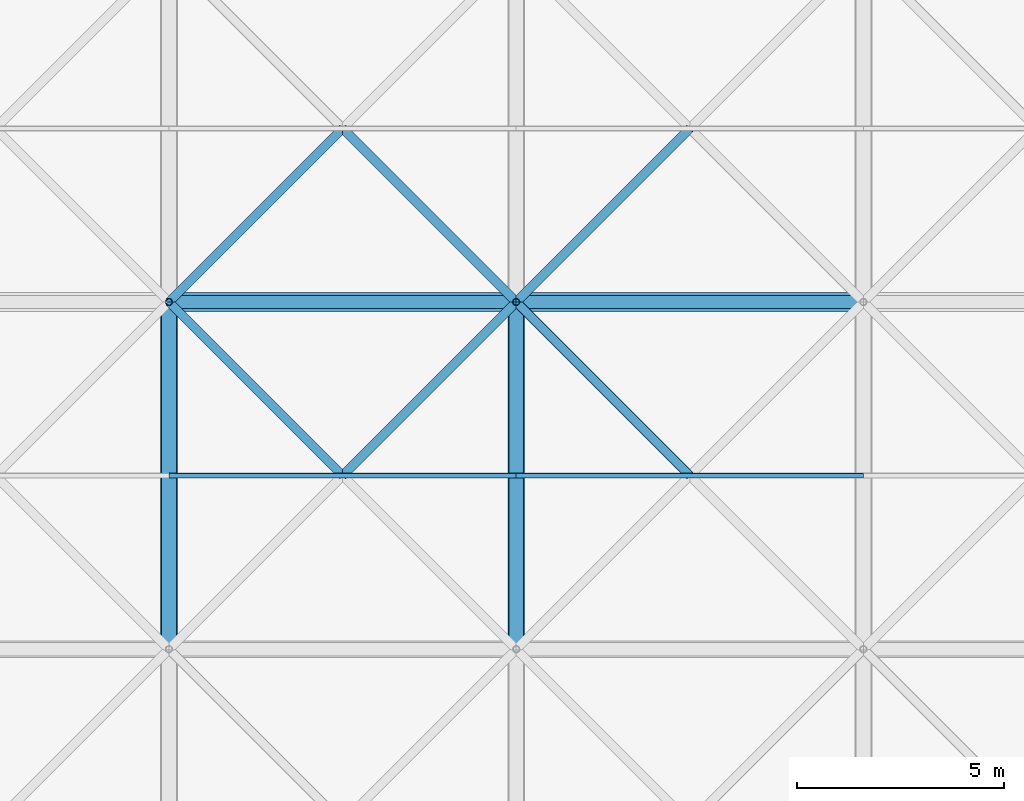
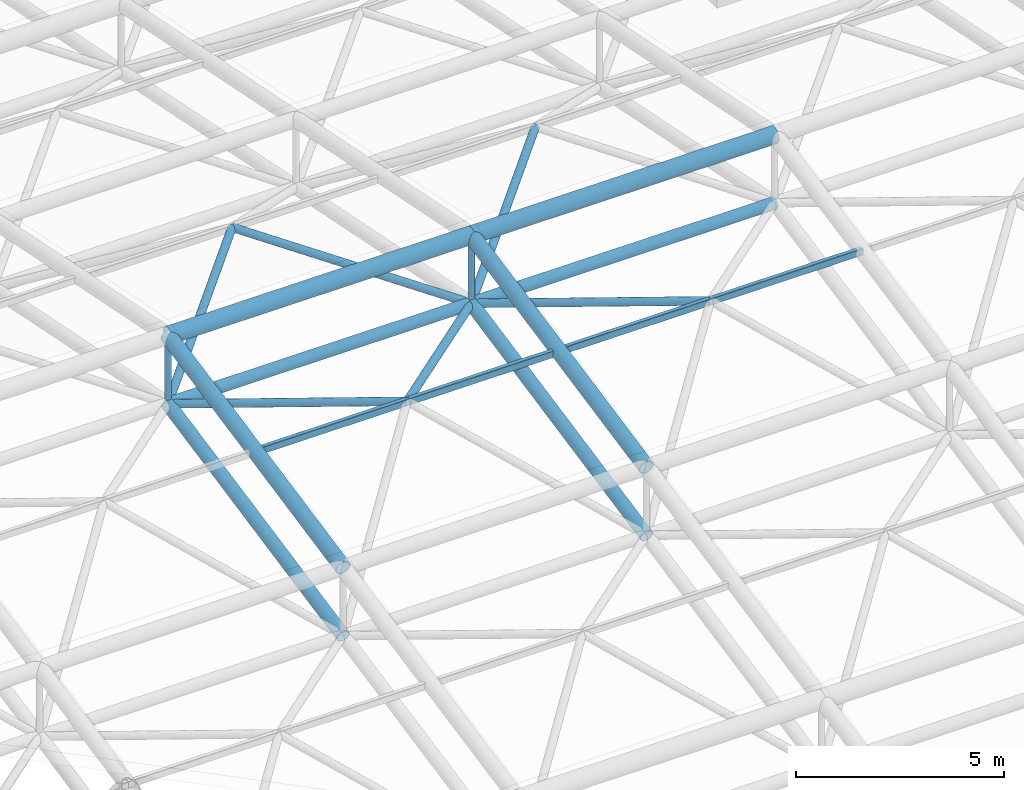
# One storey, part 36 of 81: 18 members.
"""IFC4 building model written with IfcOpenShell, lengths in metres."""

from ifc_helpers import new_model, si_unit, direction, frame, origin, origin_2d, place, context, subcontext, project, spatial, hollow_rectangle, hollow_circle, extrude, material, material_profile, profile_set, type_object, element, save


model = new_model("IFC4")

# Units and contexts
model_context = context("Model", 3, precision=1e-05, world=origin(), true_north=direction((0.0, 1.0)))
body_context = subcontext(model_context, "Body", "Model", "MODEL_VIEW")
ifc_project = project(units=[si_unit("LENGTHUNIT", "METRE"), si_unit("AREAUNIT", "SQUARE_METRE"), si_unit("VOLUMEUNIT", "CUBIC_METRE"), si_unit("PLANEANGLEUNIT", "RADIAN"), si_unit("MASSUNIT", "GRAM", prefix="KILO")], contexts=[model_context])

# Site, building, storey
site_placement = place(None, origin())
site = spatial("IfcSite", under=ifc_project, at=site_placement, CompositionType="ELEMENT")
building_placement = place(site_placement, origin())
building = spatial("IfcBuilding", under=site, at=building_placement, Name="Qawsi Khor Wholesale Market", CompositionType="ELEMENT")
storey_placement = place(building_placement, frame((0.0, 0.0, 16.199951171875)))
storey = spatial("IfcBuildingStorey", under=building, at=storey_placement, Name="L03", CompositionType="ELEMENT", Elevation=16.199951171875)

# Members
ifc_material = material(Name="Steel S355", Category="steel")
ifc_material_profile_1 = material_profile(ifc_material, hollow_circle(Radius=0.177734375, WallThickness=0.01611328125, at=origin_2d()), Name="CHS 355.6x16.0")
ifc_profile_set_1 = profile_set([ifc_material_profile_1], Name="Steel S355")
member_type_1 = type_object("IfcMemberType", Name="Space-Frame Bottom Chord CHS 355.6x16.0", PredefinedType="CHORD", material=ifc_profile_set_1)
for number, where, z_axis, x_axis, name in (
    (1, (33.60009765625, 67.199951171875, 5.070068359375), (0.0, 0.98013111127, 0.198350711418), (-1.0, 0.0, 0.0), "Space frame bottom chord Y WH (4,8)"),
    (2, (42.0, 67.199951171875, 5.070068359375), (0.0, 0.98013111127, 0.198350711418), (-1.0, 0.0, 0.0), "Space frame bottom chord Y WH (5,8)"),
):
    element("IfcMember", number, at=place(storey_placement, frame(where, z_axis=z_axis, x_axis=x_axis)), inside=storey, type_object=member_type_1, Name=name, PredefinedType="CHORD", context=body_context, shape_type="SweptSolid", body=[
        extrude(hollow_circle(Radius=0.177734375, WallThickness=0.01611328125, at=origin_2d()), origin(), (0.0, 0.0, 1.0), 8.5703125),
    ])
ifc_material_profile_2 = material_profile(ifc_material, hollow_rectangle(XDim=0.1201171875, YDim=0.199951171875, WallThickness=0.008056640625, InnerFilletRadius=0.008056640625, OuterFilletRadius=0.01611328125, at=origin_2d()), Name="RHS 200x120x8.0")
ifc_profile_set_2 = profile_set([ifc_material_profile_2], Name="Steel S355")
member_type_2 = type_object("IfcMemberType", Name="Space-Frame Heavy Purlin RHS 200x120x8.0", PredefinedType="PURLIN", material=ifc_profile_set_2)
for number, where, z_axis, x_axis, name in (
    (3, (33.60009765625, 71.39990234375, 7.920166015625), (1.0, 0.0, 0.0), (0.0, 1.0, 0.0), "Space frame purlin WH (4,8)"),
    (4, (42.0, 71.39990234375, 7.920166015625), (1.0, 0.0, 0.0), (0.0, 1.0, 0.0), "Space frame purlin WH (5,8)"),
):
    element("IfcMember", number, at=place(storey_placement, frame(where, z_axis=z_axis, x_axis=x_axis)), inside=storey, type_object=member_type_2, Name=name, PredefinedType="PURLIN", context=body_context, shape_type="SweptSolid", body=[
        extrude(hollow_rectangle(XDim=0.1201171875, YDim=0.199951171875, WallThickness=0.008056640625, InnerFilletRadius=0.008056640625, OuterFilletRadius=0.01611328125, at=origin_2d()), origin(), (0.0, 0.0, 1.0), 8.39990234375),
    ])
ifc_material_profile_3 = material_profile(ifc_material, hollow_circle(Radius=0.109619140625, WallThickness=0.010009765625, at=origin_2d()), Name="CHS 219.1x10.0")
ifc_profile_set_3 = profile_set([ifc_material_profile_3], Name="Steel S355")
member_type_3 = type_object("IfcMemberType", Name="Space-Frame Inner Diagonal CHS 219.1x10.0", PredefinedType="RAFTER", material=ifc_profile_set_3)
for number, where, z_axis, x_axis, name in (
    (5, (42.0, 75.60009765625, 6.77001953125), (-0.694191941586, -0.694232294544, 0.190102786538), (0.707127332136, -0.70708622964, 0.0), "Space frame diagonal WH (4,8)-3"),
    (6, (33.60009765625, 75.60009765625, 6.77001953125), (0.694191941586, -0.694232294544, 0.190102786538), (0.707127332136, 0.70708622964, 0.0), "Space frame diagonal WH (4,8)-4"),
    (7, (33.60009765625, 75.60009765625, 6.77001953125), (0.694211389158, 0.694211389158, 0.190108112208), (-0.707106781187, 0.707106781187, 0.0), "Space frame diagonal WH (4,9)-1"),
    (8, (42.0, 75.60009765625, 6.77001953125), (-0.694211389158, 0.694211389158, 0.190108112208), (-0.707106781187, -0.707106781187, 0.0), "Space frame diagonal WH (4,9)-2"),
    (9, (42.0, 75.60009765625, 6.77001953125), (0.694191941586, -0.694232294544, 0.190102786538), (0.707127332136, 0.70708622964, 0.0), "Space frame diagonal WH (5,8)-4"),
    (10, (42.0, 75.60009765625, 6.77001953125), (0.694211389158, 0.694211389158, 0.190108112208), (-0.707106781187, 0.707106781187, 0.0), "Space frame diagonal WH (5,9)-1"),
):
    element("IfcMember", number, at=place(storey_placement, frame(where, z_axis=z_axis, x_axis=x_axis)), inside=storey, type_object=member_type_3, Name=name, PredefinedType="RAFTER", context=body_context, shape_type="SweptSolid", body=[
        extrude(hollow_circle(Radius=0.109619140625, WallThickness=0.010009765625, at=origin_2d()), origin(), (0.0, 0.0, 1.0), 6.050048828125),
    ])
ifc_material_profile_4 = material_profile(ifc_material, hollow_circle(Radius=0.228515625, WallThickness=0.02001953125, at=origin_2d()), Name="CHS 457.0x20.0")
ifc_profile_set_4 = profile_set([ifc_material_profile_4], Name="Steel S355")
member_type_4 = type_object("IfcMemberType", Name="Space-Frame Ridge Chord CHS 457.0x20.0", PredefinedType="CHORD", material=ifc_profile_set_4)
for number, where, z_axis, x_axis, name in (
    (11, (33.60009765625, 75.60009765625, 8.77001953125), (1.0, 0.0, 0.0), (0.0, 1.0, 0.0), "Space frame top chord X WH (4,9)"),
    (12, (42.0, 75.60009765625, 8.77001953125), (1.0, 0.0, 0.0), (0.0, 1.0, 0.0), "Space frame top chord X WH (5,9)"),
):
    element("IfcMember", number, at=place(storey_placement, frame(where, z_axis=z_axis, x_axis=x_axis)), inside=storey, type_object=member_type_4, Name=name, PredefinedType="CHORD", context=body_context, shape_type="SweptSolid", body=[
        extrude(hollow_circle(Radius=0.228515625, WallThickness=0.02001953125, at=origin_2d()), origin(), (0.0, 0.0, 1.0), 8.39990234375),
    ])
ifc_material_profile_5 = material_profile(ifc_material, hollow_circle(Radius=0.161865234375, WallThickness=0.01611328125, at=origin_2d()), Name="CHS 323.9x16.0")
ifc_profile_set_5 = profile_set([ifc_material_profile_5], Name="Steel S355")
member_type_5 = type_object("IfcMemberType", Name="Space-Frame Secondary Chord CHS 323.9x16.0", PredefinedType="CHORD", material=ifc_profile_set_5)
for number, where, z_axis, x_axis, name in (
    (13, (33.60009765625, 75.60009765625, 6.77001953125), (1.0, 0.0, 0.0), (0.0, 1.0, 0.0), "Space frame bottom chord X WH (4,9)"),
    (14, (42.0, 75.60009765625, 6.77001953125), (1.0, 0.0, 0.0), (0.0, 1.0, 0.0), "Space frame bottom chord X WH (5,9)"),
):
    element("IfcMember", number, at=place(storey_placement, frame(where, z_axis=z_axis, x_axis=x_axis)), inside=storey, type_object=member_type_5, Name=name, PredefinedType="CHORD", context=body_context, shape_type="SweptSolid", body=[
        extrude(hollow_circle(Radius=0.161865234375, WallThickness=0.01611328125, at=origin_2d()), origin(), (0.0, 0.0, 1.0), 8.39990234375),
    ])
ifc_material_profile_6 = material_profile(ifc_material, hollow_circle(Radius=0.203125, WallThickness=0.02001953125, at=origin_2d()), Name="CHS 406.4x20.0")
ifc_profile_set_6 = profile_set([ifc_material_profile_6], Name="Steel S355")
member_type_6 = type_object("IfcMemberType", Name="Space-Frame Top Chord CHS 406.4x20.0", PredefinedType="CHORD", material=ifc_profile_set_6)
for number, where, z_axis, x_axis, name in (
    (15, (33.60009765625, 67.199951171875, 7.070068359375), (0.0, 0.98013111127, 0.198350711418), (-1.0, 0.0, 0.0), "Space frame top chord Y WH (4,8)"),
    (16, (42.0, 67.199951171875, 7.070068359375), (0.0, 0.98013111127, 0.198350711418), (-1.0, 0.0, 0.0), "Space frame top chord Y WH (5,8)"),
):
    element("IfcMember", number, at=place(storey_placement, frame(where, z_axis=z_axis, x_axis=x_axis)), inside=storey, type_object=member_type_6, Name=name, PredefinedType="CHORD", context=body_context, shape_type="SweptSolid", body=[
        extrude(hollow_circle(Radius=0.203125, WallThickness=0.02001953125, at=origin_2d()), origin(), (0.0, 0.0, 1.0), 8.5703125),
    ])
ifc_material_profile_7 = material_profile(ifc_material, hollow_circle(Radius=0.084228515625, WallThickness=0.008056640625, at=origin_2d()), Name="CHS 168.3x8.0")
ifc_profile_set_7 = profile_set([ifc_material_profile_7], Name="Steel S355")
member_type_7 = type_object("IfcMemberType", Name="Space-Frame Vertical Strut CHS 168.3x8.0", PredefinedType="STRUT", material=ifc_profile_set_7)
for number, where, z_axis, x_axis, name in (
    (17, (33.60009765625, 75.60009765625, 6.77001953125), (0.0, 0.0, 1.0), (1.0, 0.0, 0.0), "Space frame post WH (4,9)"),
    (18, (42.0, 75.60009765625, 6.77001953125), (0.0, 0.0, 1.0), (1.0, 0.0, 0.0), "Space frame post WH (5,9)"),
):
    element("IfcMember", number, at=place(storey_placement, frame(where, z_axis=z_axis, x_axis=x_axis)), inside=storey, type_object=member_type_7, Name=name, PredefinedType="STRUT", context=body_context, shape_type="SweptSolid", body=[
        extrude(hollow_circle(Radius=0.084228515625, WallThickness=0.008056640625, at=origin_2d()), origin(), (0.0, 0.0, 1.0), 2.0),
    ])

save(model, "model.ifc")
